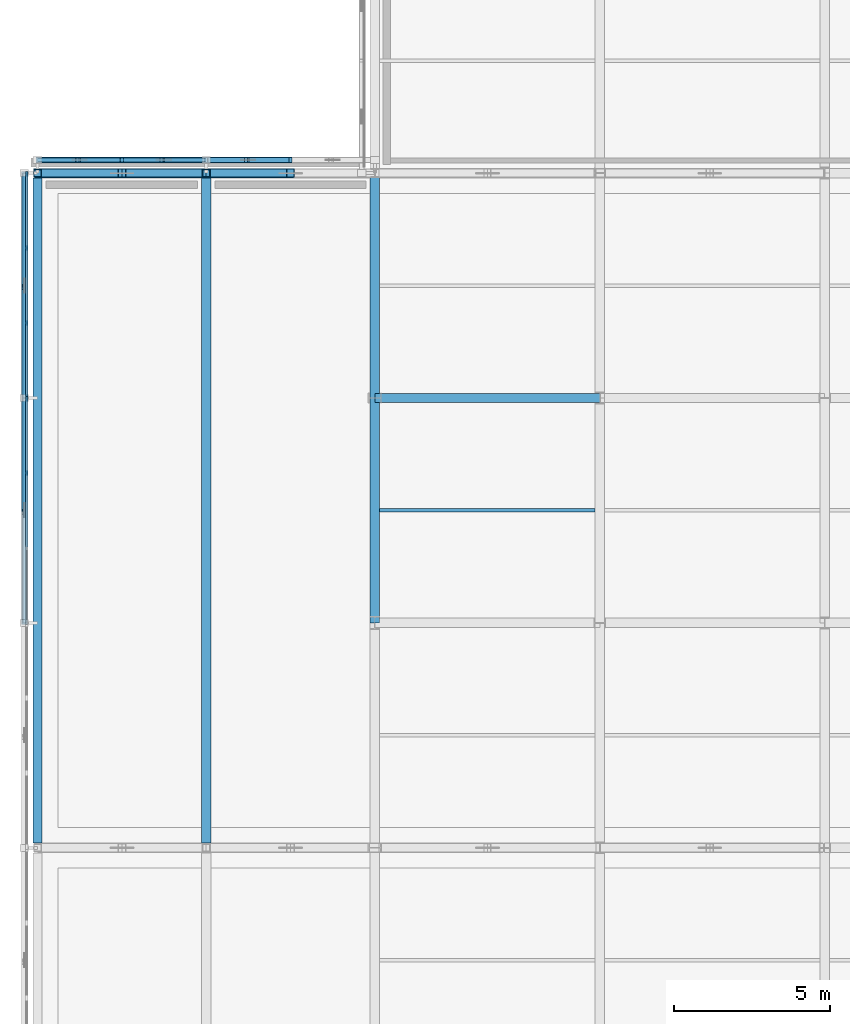
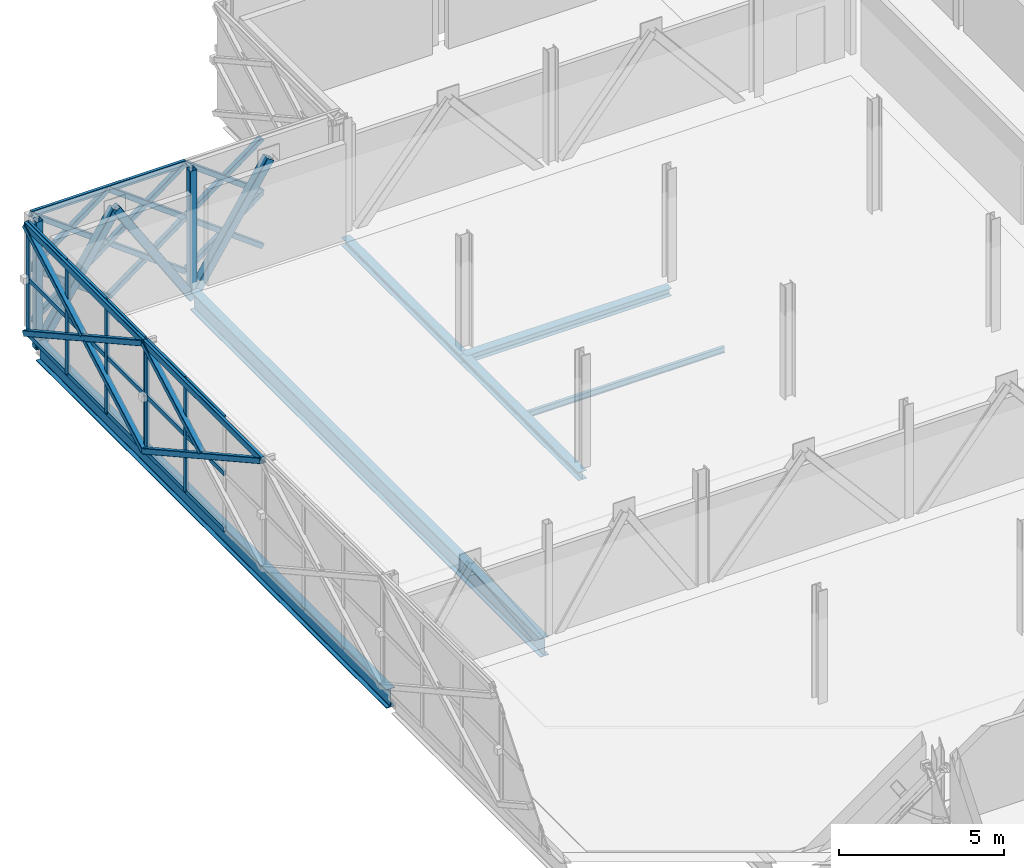
# One storey, part 45 of 103: 52 members, 6 beams, 2 elements without a shape of their own.
"""IFC4 building model written with IfcOpenShell, lengths in metres."""

import ifcopenshell
import ifcopenshell.guid

model = None  # the IFC model being written
_history = None  # IfcOwnerHistory: only IFC2X3 demands one
_inside = {}  # id of a spatial element -> (the spatial element, [elements in it])
_under = {}  # id of a project, library or spatial element -> (it, [spatial elements below it])
_declared = {}  # id of a project -> (the project, [libraries it declares])
_typed = {}  # id of a type object -> (the type object, [elements of that type])
_made_of = {}  # id of a material, layer set ... -> (it, [elements and type objects made of it])


def new_model(schema):
    """Start an empty IFC model of exactly this schema.

    Asked for "IFC4X3", IfcOpenShell would pick the latest addendum, in which some entities
    have other attributes; the version numbers below select the first issue.
    IFC2X3 requires an IfcOwnerHistory on every rooted entity: one is made here for all.
    """
    global model, _history
    if schema == "IFC4X3":
        model = ifcopenshell.file(schema_version=(4, 3, 0, 0))
    else:
        model = ifcopenshell.file(schema=schema)
    _inside.clear()
    _under.clear()
    _declared.clear()
    _typed.clear()
    _made_of.clear()
    _history = None
    if model.schema == "IFC2X3":
        org = make("IfcOrganization", Name="unknown")
        user = make(
            "IfcPersonAndOrganization",
            ThePerson=make("IfcPerson", FamilyName="unknown"),
            TheOrganization=org,
        )
        app = make(
            "IfcApplication",
            ApplicationDeveloper=org,
            Version="unknown",
            ApplicationFullName="unknown",
            ApplicationIdentifier="unknown",
        )
        _history = make(
            "IfcOwnerHistory",
            OwningUser=user,
            OwningApplication=app,
            ChangeAction="ADDED",
            CreationDate=0,
        )
    return model


def make(cls, **values):
    """One entity of the class cls with the attributes given. An attribute that is None is left unset."""
    return model.create_entity(
        cls, **{name: value for name, value in values.items() if value is not None}
    )


def rooted(cls, **values):
    """An entity with a GlobalId (a new one), such as an element, a storey or a relation."""
    return make(cls, GlobalId=ifcopenshell.guid.new(), OwnerHistory=_history, **values)


def si_unit(unit_type, name, prefix=None):
    """IfcSIUnit, for example si_unit("LENGTHUNIT", "METRE", prefix="MILLI")."""
    return make("IfcSIUnit", UnitType=unit_type, Prefix=prefix, Name=name)


def assignment(units):
    """IfcUnitAssignment: the units of a project."""
    return None if units is None else make("IfcUnitAssignment", Units=units)


def point(xyz):
    """IfcCartesianPoint."""
    return None if xyz is None else make("IfcCartesianPoint", Coordinates=xyz)


def direction(xyz):
    """IfcDirection."""
    return None if xyz is None else make("IfcDirection", DirectionRatios=xyz)


def frame(location, z_axis=None, x_axis=None):
    """IfcAxis2Placement3D, a coordinate frame: its origin and axes. An axis left out is left unset."""
    return make(
        "IfcAxis2Placement3D",
        Location=point(location),
        Axis=direction(z_axis),
        RefDirection=direction(x_axis),
    )


def frame_2d(location, x_axis=None):
    """IfcAxis2Placement2D, a coordinate frame in the plane: its origin and x axis."""
    return make(
        "IfcAxis2Placement2D", Location=point(location), RefDirection=direction(x_axis)
    )


def origin():
    """The frame at (0, 0, 0) with its axes left unset."""
    return frame((0.0, 0.0, 0.0))


def origin_2d():
    """The frame at (0, 0) in the plane with its x axis left unset."""
    return frame_2d((0.0, 0.0))


def place(relative_to, where):
    """IfcLocalPlacement: puts the frame where relative to a parent placement (None: the world)."""
    return make(
        "IfcLocalPlacement", PlacementRelTo=relative_to, RelativePlacement=where
    )


def context(
    kind, dimensions, precision=None, world=None, true_north=None, identifier=None
):
    """IfcGeometricRepresentationContext, for example the 3D "Model" context."""
    return make(
        "IfcGeometricRepresentationContext",
        ContextIdentifier=identifier,
        ContextType=kind,
        CoordinateSpaceDimension=dimensions,
        Precision=precision,
        WorldCoordinateSystem=world,
        TrueNorth=true_north,
    )


def subcontext(parent, identifier, kind, view, scale=None):
    """IfcGeometricRepresentationSubContext, for example "Body" below "Model"."""
    return make(
        "IfcGeometricRepresentationSubContext",
        ContextIdentifier=identifier,
        ContextType=kind,
        ParentContext=parent,
        TargetScale=scale,
        TargetView=view,
    )


def project(units=None, contexts=None):
    """IfcProject with its units and contexts."""
    return rooted(
        "IfcProject",
        Name="project",
        RepresentationContexts=contexts,
        UnitsInContext=assignment(units),
    )


def spatial(cls, under=None, at=None, **own):
    """A site, building, storey or space (cls), placed at a placement, below another one or the project."""
    s = rooted(cls, ObjectPlacement=at, **own)
    if under is not None:
        _under.setdefault(under.id(), (under, []))[1].append(s)
    return s


def profile(cls, at=None, kind="AREA", **sizes):
    """A parametric profile (cls). Its sizes go by their IFC names, for example OverallWidth=200.0."""
    return make(cls, ProfileType=kind, Position=at, **sizes)


def rectangle(**sizes):
    """IfcRectangleProfileDef."""
    return profile("IfcRectangleProfileDef", **sizes)


def hollow_rectangle(**sizes):
    """IfcRectangleHollowProfileDef."""
    return profile("IfcRectangleHollowProfileDef", **sizes)


def i_section(**sizes):
    """IfcIShapeProfileDef."""
    return profile("IfcIShapeProfileDef", **sizes)


def extrude(swept, where, along, depth):
    """IfcExtrudedAreaSolid: the profile swept, set in the frame where, extruded along a direction by depth."""
    return make(
        "IfcExtrudedAreaSolid",
        SweptArea=swept,
        Position=where,
        ExtrudedDirection=direction(along),
        Depth=depth,
    )


def shape(context_of_items, identifier, shape_type, items):
    """IfcShapeRepresentation: the items that make up one representation, for example the "Body"."""
    return make(
        "IfcShapeRepresentation",
        ContextOfItems=context_of_items,
        RepresentationIdentifier=identifier,
        RepresentationType=shape_type,
        Items=items,
    )


def material(Name=None, Category=None):
    """IfcMaterial."""
    return make("IfcMaterial", Name=Name, Category=Category)


def material_profile(
    of_material, cross_section, Name=None, Category=None, Priority=None
):
    """IfcMaterialProfile: a cross section and its material."""
    return make(
        "IfcMaterialProfile",
        Name=Name,
        Material=of_material,
        Profile=cross_section,
        Priority=Priority,
        Category=Category,
    )


def profile_set(profiles, Name=None, composite=None):
    """IfcMaterialProfileSet."""
    return make(
        "IfcMaterialProfileSet",
        Name=Name,
        MaterialProfiles=profiles,
        CompositeProfile=composite,
    )


def made_of(thing, what):
    """Note that an element or type object is made of a material, layer set ...; save() writes the relation."""
    if what is not None:
        _made_of.setdefault(what.id(), (what, []))[1].append(thing)
    return thing


def type_object(cls, material=None, **own):
    """A type object (cls), such as IfcWallType, which elements share."""
    return made_of(rooted(cls, **own), material)


def element(
    cls,
    number,
    at=None,
    inside=None,
    cuts=None,
    type_object=None,
    material=None,
    context=None,
    identifier="Body",
    shape_type=None,
    held_by="IfcProductDefinitionShape",
    body=None,
    shapes=None,
    **own,
):
    """One element of the class cls, such as IfcWall. Its Tag is "e" and its number.

    at: its placement. inside: the storey or other place that contains it. cuts: it is an
    opening in that element (IfcRelVoidsElement). A single representation is given by context,
    identifier, shape_type and body (its items); several are given by shapes. held_by: the class
    of the entity that holds the representations. save() writes the other relations.
    """
    e = rooted(cls, Tag="e%d" % number, ObjectPlacement=at, **own)
    if body is not None:
        shapes = [shape(context, identifier, shape_type, body)]
    if shapes is not None:
        e.Representation = make(held_by, Representations=shapes)
    if inside is not None:
        _inside.setdefault(inside.id(), (inside, []))[1].append(e)
    if cuts is not None:
        rooted(
            "IfcRelVoidsElement", RelatingBuildingElement=cuts, RelatedOpeningElement=e
        )
    if type_object is not None:
        _typed.setdefault(type_object.id(), (type_object, []))[1].append(e)
    return made_of(e, material)


def aggregate(whole, parts):
    """IfcRelAggregates: a whole, such as a stair, and the parts it consists of."""
    return rooted("IfcRelAggregates", RelatingObject=whole, RelatedObjects=parts)


def save(model, path):
    """Write the relations noted so far, then the file.

    IfcRelAggregates (storeys below a building ...), IfcRelContainedInSpatialStructure (elements
    in a storey), IfcRelDefinesByType, IfcRelAssociatesMaterial and IfcRelDeclares: one each for
    every whole, place, type object, material and project.
    """
    for whole, parts in _under.values():
        aggregate(whole, parts)
    for where, things in _inside.values():
        rooted(
            "IfcRelContainedInSpatialStructure",
            RelatedElements=things,
            RelatingStructure=where,
        )
    for kind, things in _typed.values():
        rooted("IfcRelDefinesByType", RelatedObjects=things, RelatingType=kind)
    for what, things in _made_of.values():
        rooted("IfcRelAssociatesMaterial", RelatedObjects=things, RelatingMaterial=what)
    for by, libraries in _declared.values():
        rooted("IfcRelDeclares", RelatingContext=by, RelatedDefinitions=libraries)
    model.write(path)


model = new_model("IFC4")

# Units and contexts
model_context = context("Model", 3, precision=1e-05, world=origin(), true_north=direction((0.0, 1.0)))
body_context = subcontext(model_context, "Body", "Model", "MODEL_VIEW")
ifc_project = project(units=[si_unit("LENGTHUNIT", "METRE"), si_unit("AREAUNIT", "SQUARE_METRE"), si_unit("VOLUMEUNIT", "CUBIC_METRE"), si_unit("PLANEANGLEUNIT", "RADIAN"), si_unit("MASSUNIT", "GRAM", prefix="KILO")], contexts=[model_context])

# Site, building, storey
site_placement = place(None, origin())
site = spatial("IfcSite", under=ifc_project, at=site_placement, CompositionType="ELEMENT")
building_placement = place(site_placement, origin())
building = spatial("IfcBuilding", under=site, at=building_placement, Name="Zlatovets Crest Museum", CompositionType="ELEMENT")
storey_placement = place(building_placement, frame((0.0, 0.0, 12.89990234375)))
storey = spatial("IfcBuildingStorey", under=building, at=storey_placement, Name="L03", CompositionType="ELEMENT", Elevation=12.89990234375)

# Beams
ifc_material_1 = material(Name="Structural steel S355J2", Category="steel")
ifc_material_profile_1 = material_profile(ifc_material_1, i_section(OverallWidth=0.300048828125, OverallDepth=0.31005859375, WebThickness=0.009033203125, FlangeThickness=0.015380859375, FilletRadius=0.027099609375, at=origin_2d()), Name="HEA 320")
ifc_profile_set_1 = profile_set([ifc_material_profile_1], Name="Structural steel S355J2")
beam_type_1 = type_object("IfcBeamType", Name="Beam_B-04", PredefinedType="BEAM", material=ifc_profile_set_1)
beam_1_placement = place(storey_placement, frame((7.199951171875, 79.199951171875, -0.39501953125), z_axis=(0.0, 1.0, 0.0), x_axis=(-1.0, 0.0, 0.0)))
element("IfcBeam", 1, at=beam_1_placement, inside=storey, type_object=beam_type_1, Name="V4 L03 Grid Beam B-04", PredefinedType="BEAM", context=body_context, shape_type="SweptSolid", body=[
    extrude(i_section(OverallWidth=0.300048828125, OverallDepth=0.31005859375, WebThickness=0.009033203125, FlangeThickness=0.015380859375, FilletRadius=0.027099609375, at=origin_2d()), origin(), (0.0, 0.0, 1.0), 7.199951171875),
])
beam_2_placement = place(storey_placement, frame((7.199951171875, 86.39990234375, -0.39501953125), z_axis=(0.0, 1.0, 0.0), x_axis=(-1.0, 0.0, 0.0)))
element("IfcBeam", 2, at=beam_2_placement, inside=storey, type_object=beam_type_1, Name="V4 L03 Grid Beam B-04", PredefinedType="BEAM", context=body_context, shape_type="SweptSolid", body=[
    extrude(i_section(OverallWidth=0.300048828125, OverallDepth=0.31005859375, WebThickness=0.009033203125, FlangeThickness=0.015380859375, FilletRadius=0.027099609375, at=origin_2d()), origin(), (0.0, 0.0, 1.0), 7.2001953125),
])
ifc_material_profile_2 = material_profile(ifc_material_1, i_section(OverallWidth=0.300048828125, OverallDepth=0.699951171875, WebThickness=0.01708984375, FlangeThickness=0.031982421875, FilletRadius=0.027099609375, at=origin_2d()), Name="HEB 700")
ifc_profile_set_2 = profile_set([ifc_material_profile_2], Name="Structural steel S355J2")
beam_type_2 = type_object("IfcBeamType", Name="Beam_B-08", PredefinedType="BEAM", material=ifc_profile_set_2)
for number, where, z_axis, x_axis, name in (
    (3, (-3.60009765625, 72.159912109375, -0.58984375), (0.0, 1.0, 0.0), (-1.0, 0.0, 0.0), "Cantilever Gallery L03 Floor Beam B-08"),
    (4, (1.800048828125, 72.159912109375, -0.58984375), (0.0, 1.0, 0.0), (-1.0, 0.0, 0.0), "Cantilever Gallery L03 Floor Beam B-08"),
):
    element("IfcBeam", number, at=place(storey_placement, frame(where, z_axis=z_axis, x_axis=x_axis)), inside=storey, type_object=beam_type_2, Name=name, PredefinedType="BEAM", context=body_context, shape_type="SweptSolid", body=[
        extrude(i_section(OverallWidth=0.300048828125, OverallDepth=0.699951171875, WebThickness=0.01708984375, FlangeThickness=0.031982421875, FilletRadius=0.027099609375, at=origin_2d()), origin(), (0.0, 0.0, 1.0), 21.280029296875),
    ])
ifc_material_profile_3 = material_profile(ifc_material_1, i_section(OverallWidth=0.300048828125, OverallDepth=0.2900390625, WebThickness=0.008544921875, FlangeThickness=0.013916015625, FilletRadius=0.027099609375, at=origin_2d()), Name="HEA 300")
ifc_profile_set_3 = profile_set([ifc_material_profile_3], Name="Structural steel S355J2")
beam_type_3 = type_object("IfcBeamType", Name="Beam_B-12", PredefinedType="BEAM", material=ifc_profile_set_3)
beam_3_placement = place(storey_placement, frame((7.199951171875, 86.39990234375, -0.385009765625), z_axis=(1.0, 0.0, 0.0), x_axis=(0.0, 1.0, 0.0)))
element("IfcBeam", 5, at=beam_3_placement, inside=storey, type_object=beam_type_3, Name="V4 L03 Primary Girder B-12", PredefinedType="BEAM", context=body_context, shape_type="SweptSolid", body=[
    extrude(i_section(OverallWidth=0.300048828125, OverallDepth=0.2900390625, WebThickness=0.008544921875, FlangeThickness=0.013916015625, FilletRadius=0.027099609375, at=origin_2d()), origin(), (0.0, 0.0, 1.0), 7.199951171875),
])
ifc_material_profile_4 = material_profile(ifc_material_1, i_section(OverallWidth=0.110107421875, OverallDepth=0.219970703125, WebThickness=0.005859375, FlangeThickness=0.00927734375, FilletRadius=0.011962890625, at=origin_2d()), Name="IPE 220")
ifc_profile_set_4 = profile_set([ifc_material_profile_4], Name="Structural steel S355J2")
beam_type_4 = type_object("IfcBeamType", Name="Beam_J-10", PredefinedType="JOIST", material=ifc_profile_set_4)
beam_4_placement = place(storey_placement, frame((7.35009765625, 82.800048828125, -0.349853515625), z_axis=(1.0, 0.0, 0.0), x_axis=(0.0, 1.0, 0.0)))
element("IfcBeam", 6, at=beam_4_placement, inside=storey, type_object=beam_type_4, Name="V4 L03 Composite Joist J-10", PredefinedType="JOIST", context=body_context, shape_type="SweptSolid", body=[
    extrude(i_section(OverallWidth=0.110107421875, OverallDepth=0.219970703125, WebThickness=0.005859375, FlangeThickness=0.00927734375, FilletRadius=0.011962890625, at=origin_2d()), origin(), (0.0, 0.0, 1.0), 6.89990234375),
])

# Curtain wall, members
ifc_material_2 = material(Name="Bronze-anodised aluminium and low-E triple glass", Category="aluminium")
curtain_wall_type_1 = type_object("IfcCurtainWallType", Name="CW_CW-V4-L03-M2", PredefinedType="NOTDEFINED", material=ifc_material_2)
curtain_wall_1_placement = place(storey_placement, origin())
curtain_wall_1 = element("IfcCurtainWall", 7, at=curtain_wall_1_placement, inside=storey, type_object=curtain_wall_type_1, Name="V4 L03 Secession Foyer Clear Curtain Wall", PredefinedType="NOTDEFINED")
ifc_material_3 = material(Name="Bronze-anodised aluminium EN AW-6060", Category="aluminium")
ifc_material_profile_5 = material_profile(ifc_material_3, rectangle(XDim=0.080078125, YDim=0.159912109375, at=origin_2d()), Name="ALU 80x160")
ifc_profile_set_5 = profile_set([ifc_material_profile_5], Name="Bronze-anodised aluminium EN AW-6060")
member_type_1 = type_object("IfcMemberType", Name="CWMull_M1", PredefinedType="MULLION", material=ifc_profile_set_5)
member_1_placement = place(storey_placement, frame((-3.93994140625, 93.570068359375, 0.0), z_axis=(0.0, 0.0, 1.0), x_axis=(1.0, 0.0, 0.0)))
member_1 = element("IfcMember", 8, at=member_1_placement, type_object=member_type_1, Name="CW-V4-L03-M2 mullion 1", PredefinedType="MULLION", context=body_context, shape_type="SweptSolid", body=[
    extrude(rectangle(XDim=0.080078125, YDim=0.159912109375, at=origin_2d()), origin(), (0.0, 0.0, 1.0), 4.2001953125),
])
member_2_placement = place(storey_placement, frame((-3.93994140625, 91.199951171875, 0.0), z_axis=(0.0, 0.0, 1.0), x_axis=(1.0, 0.0, 0.0)))
member_2 = element("IfcMember", 9, at=member_2_placement, type_object=member_type_1, Name="CW-V4-L03-M2 mullion 2", PredefinedType="MULLION", context=body_context, shape_type="SweptSolid", body=[
    extrude(rectangle(XDim=0.080078125, YDim=0.159912109375, at=origin_2d()), origin(), (0.0, 0.0, 1.0), 4.2001953125),
])
member_3_placement = place(storey_placement, frame((-3.93994140625, 88.800048828125, 0.0), z_axis=(0.0, 0.0, 1.0), x_axis=(1.0, 0.0, 0.0)))
member_3 = element("IfcMember", 10, at=member_3_placement, type_object=member_type_1, Name="CW-V4-L03-M2 mullion 3", PredefinedType="MULLION", context=body_context, shape_type="SweptSolid", body=[
    extrude(rectangle(XDim=0.080078125, YDim=0.159912109375, at=origin_2d()), origin(), (0.0, 0.0, 1.0), 4.2001953125),
])
member_4_placement = place(storey_placement, frame((-3.93994140625, 86.429931640625, 0.0), z_axis=(0.0, 0.0, 1.0), x_axis=(1.0, 0.0, 0.0)))
member_4 = element("IfcMember", 11, at=member_4_placement, type_object=member_type_1, Name="CW-V4-L03-M2 mullion 4", PredefinedType="MULLION", context=body_context, shape_type="SweptSolid", body=[
    extrude(rectangle(XDim=0.080078125, YDim=0.159912109375, at=origin_2d()), origin(), (0.0, 0.0, 1.0), 4.2001953125),
])

curtain_wall_type_2 = type_object("IfcCurtainWallType", Name="CW_CW-V4-L03-M3", PredefinedType="NOTDEFINED", material=ifc_material_2)
curtain_wall_2_placement = place(storey_placement, origin())
curtain_wall_2 = element("IfcCurtainWall", 12, at=curtain_wall_2_placement, inside=storey, type_object=curtain_wall_type_2, Name="V4 L03 Secession Foyer Clear Curtain Wall", PredefinedType="NOTDEFINED")
member_5_placement = place(storey_placement, frame((-3.93994140625, 86.3701171875, 0.0), z_axis=(0.0, 0.0, 1.0), x_axis=(1.0, 0.0, 0.0)))
member_5 = element("IfcMember", 13, at=member_5_placement, type_object=member_type_1, Name="CW-V4-L03-M3 mullion 1", PredefinedType="MULLION", context=body_context, shape_type="SweptSolid", body=[
    extrude(rectangle(XDim=0.080078125, YDim=0.159912109375, at=origin_2d()), origin(), (0.0, 0.0, 1.0), 4.2001953125),
])
member_6_placement = place(storey_placement, frame((-3.93994140625, 84.0, 0.0), z_axis=(0.0, 0.0, 1.0), x_axis=(1.0, 0.0, 0.0)))
member_6 = element("IfcMember", 14, at=member_6_placement, type_object=member_type_1, Name="CW-V4-L03-M3 mullion 2", PredefinedType="MULLION", context=body_context, shape_type="SweptSolid", body=[
    extrude(rectangle(XDim=0.080078125, YDim=0.159912109375, at=origin_2d()), origin(), (0.0, 0.0, 1.0), 4.2001953125),
])

# Member
ifc_material_profile_6 = material_profile(ifc_material_3, rectangle(XDim=0.080078125, YDim=0.159912109375, at=origin_2d()), Name="ALU 80x160")
ifc_profile_set_6 = profile_set([ifc_material_profile_6], Name="Bronze-anodised aluminium EN AW-6060")
member_type_2 = type_object("IfcMemberType", Name="CWTrans_T1", PredefinedType="USERDEFINED", material=ifc_profile_set_6)
member_7_placement = place(storey_placement, frame((-3.93994140625, 93.5400390625, 0.030029296875), z_axis=(0.0, -1.0, 0.0), x_axis=(1.0, 0.0, 0.0)))
member_7 = element("IfcMember", 15, at=member_7_placement, type_object=member_type_2, Name="CW-V4-L03-M2 transom 1.1", ObjectType="TRANSOM", PredefinedType="USERDEFINED", context=body_context, shape_type="SweptSolid", body=[
    extrude(rectangle(XDim=0.080078125, YDim=0.159912109375, at=origin_2d()), origin(), (0.0, 0.0, 1.0), 2.31005859375),
])

member_8_placement = place(storey_placement, frame((-3.93994140625, 93.5400390625, 2.10009765625), z_axis=(0.0, -1.0, 0.0), x_axis=(1.0, 0.0, 0.0)))
member_8 = element("IfcMember", 16, at=member_8_placement, type_object=member_type_2, Name="CW-V4-L03-M2 transom 1.2", ObjectType="TRANSOM", PredefinedType="USERDEFINED", context=body_context, shape_type="SweptSolid", body=[
    extrude(rectangle(XDim=0.080078125, YDim=0.159912109375, at=origin_2d()), origin(), (0.0, 0.0, 1.0), 2.31005859375),
])

member_9_placement = place(storey_placement, frame((-3.93994140625, 93.5400390625, 4.170166015625), z_axis=(0.0, -1.0, 0.0), x_axis=(1.0, 0.0, 0.0)))
member_9 = element("IfcMember", 17, at=member_9_placement, type_object=member_type_2, Name="CW-V4-L03-M2 transom 1.3", ObjectType="TRANSOM", PredefinedType="USERDEFINED", context=body_context, shape_type="SweptSolid", body=[
    extrude(rectangle(XDim=0.080078125, YDim=0.159912109375, at=origin_2d()), origin(), (0.0, 0.0, 1.0), 2.31005859375),
])

member_10_placement = place(storey_placement, frame((-3.93994140625, 91.169921875, 0.030029296875), z_axis=(0.0, -1.0, 0.0), x_axis=(1.0, 0.0, 0.0)))
member_10 = element("IfcMember", 18, at=member_10_placement, type_object=member_type_2, Name="CW-V4-L03-M2 transom 2.1", ObjectType="TRANSOM", PredefinedType="USERDEFINED", context=body_context, shape_type="SweptSolid", body=[
    extrude(rectangle(XDim=0.080078125, YDim=0.159912109375, at=origin_2d()), origin(), (0.0, 0.0, 1.0), 2.33984375),
])

member_11_placement = place(storey_placement, frame((-3.93994140625, 91.169921875, 2.10009765625), z_axis=(0.0, -1.0, 0.0), x_axis=(1.0, 0.0, 0.0)))
member_11 = element("IfcMember", 19, at=member_11_placement, type_object=member_type_2, Name="CW-V4-L03-M2 transom 2.2", ObjectType="TRANSOM", PredefinedType="USERDEFINED", context=body_context, shape_type="SweptSolid", body=[
    extrude(rectangle(XDim=0.080078125, YDim=0.159912109375, at=origin_2d()), origin(), (0.0, 0.0, 1.0), 2.33984375),
])

member_12_placement = place(storey_placement, frame((-3.93994140625, 91.169921875, 4.170166015625), z_axis=(0.0, -1.0, 0.0), x_axis=(1.0, 0.0, 0.0)))
member_12 = element("IfcMember", 20, at=member_12_placement, type_object=member_type_2, Name="CW-V4-L03-M2 transom 2.3", ObjectType="TRANSOM", PredefinedType="USERDEFINED", context=body_context, shape_type="SweptSolid", body=[
    extrude(rectangle(XDim=0.080078125, YDim=0.159912109375, at=origin_2d()), origin(), (0.0, 0.0, 1.0), 2.33984375),
])

member_13_placement = place(storey_placement, frame((-3.93994140625, 88.77001953125, 0.030029296875), z_axis=(0.0, -1.0, 0.0), x_axis=(1.0, 0.0, 0.0)))
member_13 = element("IfcMember", 21, at=member_13_placement, type_object=member_type_2, Name="CW-V4-L03-M2 transom 3.1", ObjectType="TRANSOM", PredefinedType="USERDEFINED", context=body_context, shape_type="SweptSolid", body=[
    extrude(rectangle(XDim=0.080078125, YDim=0.159912109375, at=origin_2d()), origin(), (0.0, 0.0, 1.0), 2.31005859375),
])

member_14_placement = place(storey_placement, frame((-3.93994140625, 88.77001953125, 2.10009765625), z_axis=(0.0, -1.0, 0.0), x_axis=(1.0, 0.0, 0.0)))
member_14 = element("IfcMember", 22, at=member_14_placement, type_object=member_type_2, Name="CW-V4-L03-M2 transom 3.2", ObjectType="TRANSOM", PredefinedType="USERDEFINED", context=body_context, shape_type="SweptSolid", body=[
    extrude(rectangle(XDim=0.080078125, YDim=0.159912109375, at=origin_2d()), origin(), (0.0, 0.0, 1.0), 2.31005859375),
])

member_15_placement = place(storey_placement, frame((-3.93994140625, 88.77001953125, 4.170166015625), z_axis=(0.0, -1.0, 0.0), x_axis=(1.0, 0.0, 0.0)))
member_15 = element("IfcMember", 23, at=member_15_placement, type_object=member_type_2, Name="CW-V4-L03-M2 transom 3.3", ObjectType="TRANSOM", PredefinedType="USERDEFINED", context=body_context, shape_type="SweptSolid", body=[
    extrude(rectangle(XDim=0.080078125, YDim=0.159912109375, at=origin_2d()), origin(), (0.0, 0.0, 1.0), 2.31005859375),
])

aggregate(curtain_wall_1, [member_1, member_2, member_3, member_4, member_7, member_8, member_9, member_10, member_11, member_12, member_13, member_14, member_15])

member_16_placement = place(storey_placement, frame((-3.93994140625, 86.340087890625, 0.030029296875), z_axis=(0.0, -1.0, 0.0), x_axis=(1.0, 0.0, 0.0)))
member_16 = element("IfcMember", 24, at=member_16_placement, type_object=member_type_2, Name="CW-V4-L03-M3 transom 1.1", ObjectType="TRANSOM", PredefinedType="USERDEFINED", context=body_context, shape_type="SweptSolid", body=[
    extrude(rectangle(XDim=0.080078125, YDim=0.159912109375, at=origin_2d()), origin(), (0.0, 0.0, 1.0), 2.31005859375),
])

member_17_placement = place(storey_placement, frame((-3.93994140625, 86.340087890625, 2.10009765625), z_axis=(0.0, -1.0, 0.0), x_axis=(1.0, 0.0, 0.0)))
member_17 = element("IfcMember", 25, at=member_17_placement, type_object=member_type_2, Name="CW-V4-L03-M3 transom 1.2", ObjectType="TRANSOM", PredefinedType="USERDEFINED", context=body_context, shape_type="SweptSolid", body=[
    extrude(rectangle(XDim=0.080078125, YDim=0.159912109375, at=origin_2d()), origin(), (0.0, 0.0, 1.0), 2.31005859375),
])

member_18_placement = place(storey_placement, frame((-3.93994140625, 86.340087890625, 4.170166015625), z_axis=(0.0, -1.0, 0.0), x_axis=(1.0, 0.0, 0.0)))
member_18 = element("IfcMember", 26, at=member_18_placement, type_object=member_type_2, Name="CW-V4-L03-M3 transom 1.3", ObjectType="TRANSOM", PredefinedType="USERDEFINED", context=body_context, shape_type="SweptSolid", body=[
    extrude(rectangle(XDim=0.080078125, YDim=0.159912109375, at=origin_2d()), origin(), (0.0, 0.0, 1.0), 2.31005859375),
])

member_19_placement = place(storey_placement, frame((-3.93994140625, 83.969970703125, 0.030029296875), z_axis=(0.0, -1.0, 0.0), x_axis=(1.0, 0.0, 0.0)))
member_19 = element("IfcMember", 27, at=member_19_placement, type_object=member_type_2, Name="CW-V4-L03-M3 transom 2.1", ObjectType="TRANSOM", PredefinedType="USERDEFINED", context=body_context, shape_type="SweptSolid", body=[
    extrude(rectangle(XDim=0.080078125, YDim=0.159912109375, at=origin_2d()), origin(), (0.0, 0.0, 1.0), 2.340087890625),
])

member_20_placement = place(storey_placement, frame((-3.93994140625, 83.969970703125, 2.10009765625), z_axis=(0.0, -1.0, 0.0), x_axis=(1.0, 0.0, 0.0)))
member_20 = element("IfcMember", 28, at=member_20_placement, type_object=member_type_2, Name="CW-V4-L03-M3 transom 2.2", ObjectType="TRANSOM", PredefinedType="USERDEFINED", context=body_context, shape_type="SweptSolid", body=[
    extrude(rectangle(XDim=0.080078125, YDim=0.159912109375, at=origin_2d()), origin(), (0.0, 0.0, 1.0), 2.340087890625),
])

member_21_placement = place(storey_placement, frame((-3.93994140625, 83.969970703125, 4.170166015625), z_axis=(0.0, -1.0, 0.0), x_axis=(1.0, 0.0, 0.0)))
member_21 = element("IfcMember", 29, at=member_21_placement, type_object=member_type_2, Name="CW-V4-L03-M3 transom 2.3", ObjectType="TRANSOM", PredefinedType="USERDEFINED", context=body_context, shape_type="SweptSolid", body=[
    extrude(rectangle(XDim=0.080078125, YDim=0.159912109375, at=origin_2d()), origin(), (0.0, 0.0, 1.0), 2.340087890625),
])

aggregate(curtain_wall_2, [member_5, member_6, member_16, member_17, member_18, member_19, member_20, member_21])

# Members
ifc_material_4 = material(Name="Weathering bronze-steel S355J2W", Category="steel")
ifc_material_profile_7 = material_profile(ifc_material_4, hollow_rectangle(XDim=0.179931640625, YDim=0.179931640625, WallThickness=0.010009765625, InnerFilletRadius=0.010009765625, OuterFilletRadius=0.02001953125, at=origin_2d()), Name="SHS 180x180x10.0")
ifc_profile_set_7 = profile_set([ifc_material_profile_7], Name="Weathering bronze-steel S355J2W")
member_type_3 = type_object("IfcMemberType", Name="Lattice_XL-01", PredefinedType="BRACE", material=ifc_profile_set_7)
member_22_placement = place(storey_placement, frame((4.5, 94.02001953125, 0.10009765625), z_axis=(-0.803552044655, 0.0, 0.595234501294), x_axis=(0.0, -1.0, 0.0)))
element("IfcMember", 30, at=member_22_placement, inside=storey, type_object=member_type_3, Name="Continuous Bronze Lattice Diagonal", PredefinedType="BRACE", context=body_context, shape_type="SweptSolid", body=[
    extrude(hollow_rectangle(XDim=0.179931640625, YDim=0.179931640625, WallThickness=0.010009765625, InnerFilletRadius=0.010009765625, OuterFilletRadius=0.02001953125, at=origin_2d()), origin(), (0.0, 0.0, 1.0), 3.360107421875),
])
for number, where, z_axis, x_axis, name in (
    (31, (4.5, 94.02001953125, 2.10009765625), (-0.803516265271, 0.0, -0.595282799554), (0.0, -1.0, 0.0), "Split Crossing Bronze Lattice Diagonal Upper"),
    (32, (3.07373046875, 94.02001953125, 1.043701171875), (-0.803516265271, 0.0, -0.595282799554), (0.0, -1.0, 0.0), "Split Crossing Bronze Lattice Diagonal Lower"),
):
    element("IfcMember", number, at=place(storey_placement, frame(where, z_axis=z_axis, x_axis=x_axis)), inside=storey, type_object=member_type_3, Name=name, PredefinedType="BRACE", context=body_context, shape_type="SweptSolid", body=[
        extrude(hollow_rectangle(XDim=0.179931640625, YDim=0.179931640625, WallThickness=0.010009765625, InnerFilletRadius=0.010009765625, OuterFilletRadius=0.02001953125, at=origin_2d()), origin(), (0.0, 0.0, 1.0), 1.585205078125),
    ])
member_23_placement = place(storey_placement, frame((4.5, 94.02001953125, 2.10009765625), z_axis=(-0.803552044655, 0.0, 0.595234501294), x_axis=(0.0, -1.0, 0.0)))
element("IfcMember", 33, at=member_23_placement, inside=storey, type_object=member_type_3, Name="Continuous Bronze Lattice Diagonal", PredefinedType="BRACE", context=body_context, shape_type="SweptSolid", body=[
    extrude(hollow_rectangle(XDim=0.179931640625, YDim=0.179931640625, WallThickness=0.010009765625, InnerFilletRadius=0.010009765625, OuterFilletRadius=0.02001953125, at=origin_2d()), origin(), (0.0, 0.0, 1.0), 3.360107421875),
])
for number, where, z_axis, x_axis, name in (
    (34, (4.5, 94.02001953125, 4.10009765625), (-0.803516265271, 0.0, -0.595282799554), (0.0, -1.0, 0.0), "Split Crossing Bronze Lattice Diagonal Upper"),
    (35, (3.07373046875, 94.02001953125, 3.043701171875), (-0.803516265271, 0.0, -0.595282799554), (0.0, -1.0, 0.0), "Split Crossing Bronze Lattice Diagonal Lower"),
):
    element("IfcMember", number, at=place(storey_placement, frame(where, z_axis=z_axis, x_axis=x_axis)), inside=storey, type_object=member_type_3, Name=name, PredefinedType="BRACE", context=body_context, shape_type="SweptSolid", body=[
        extrude(hollow_rectangle(XDim=0.179931640625, YDim=0.179931640625, WallThickness=0.010009765625, InnerFilletRadius=0.010009765625, OuterFilletRadius=0.02001953125, at=origin_2d()), origin(), (0.0, 0.0, 1.0), 1.585205078125),
    ])
member_24_placement = place(storey_placement, frame((1.800048828125, 94.02001953125, 0.10009765625), z_axis=(-0.803552044655, 0.0, 0.595234501294), x_axis=(0.0, -1.0, 0.0)))
element("IfcMember", 36, at=member_24_placement, inside=storey, type_object=member_type_3, Name="Continuous Bronze Lattice Diagonal", PredefinedType="BRACE", context=body_context, shape_type="SweptSolid", body=[
    extrude(hollow_rectangle(XDim=0.179931640625, YDim=0.179931640625, WallThickness=0.010009765625, InnerFilletRadius=0.010009765625, OuterFilletRadius=0.02001953125, at=origin_2d()), origin(), (0.0, 0.0, 1.0), 3.360107421875),
])
for number, where, z_axis, x_axis, name in (
    (37, (1.800048828125, 94.02001953125, 2.10009765625), (-0.803516265271, 0.0, -0.595282799554), (0.0, -1.0, 0.0), "Split Crossing Bronze Lattice Diagonal Upper"),
    (38, (0.373779296875, 94.02001953125, 1.043701171875), (-0.803516265271, 0.0, -0.595282799554), (0.0, -1.0, 0.0), "Split Crossing Bronze Lattice Diagonal Lower"),
):
    element("IfcMember", number, at=place(storey_placement, frame(where, z_axis=z_axis, x_axis=x_axis)), inside=storey, type_object=member_type_3, Name=name, PredefinedType="BRACE", context=body_context, shape_type="SweptSolid", body=[
        extrude(hollow_rectangle(XDim=0.179931640625, YDim=0.179931640625, WallThickness=0.010009765625, InnerFilletRadius=0.010009765625, OuterFilletRadius=0.02001953125, at=origin_2d()), origin(), (0.0, 0.0, 1.0), 1.585205078125),
    ])
member_25_placement = place(storey_placement, frame((-0.89990234375, 94.02001953125, 0.10009765625), z_axis=(-0.803577786301, 0.0, 0.59519974913), x_axis=(0.0, -1.0, 0.0)))
element("IfcMember", 39, at=member_25_placement, inside=storey, type_object=member_type_3, Name="Continuous Bronze Lattice Diagonal", PredefinedType="BRACE", context=body_context, shape_type="SweptSolid", body=[
    extrude(hollow_rectangle(XDim=0.179931640625, YDim=0.179931640625, WallThickness=0.010009765625, InnerFilletRadius=0.010009765625, OuterFilletRadius=0.02001953125, at=origin_2d()), origin(), (0.0, 0.0, 1.0), 3.360107421875),
])
for number, where, z_axis, x_axis, name in (
    (40, (-0.89990234375, 94.02001953125, 2.10009765625), (-0.803516265271, 0.0, -0.595282799554), (0.0, -1.0, 0.0), "Split Crossing Bronze Lattice Diagonal Upper"),
    (41, (-2.326416015625, 94.02001953125, 1.043701171875), (-0.803516265271, 0.0, -0.595282799554), (0.0, -1.0, 0.0), "Split Crossing Bronze Lattice Diagonal Lower"),
):
    element("IfcMember", number, at=place(storey_placement, frame(where, z_axis=z_axis, x_axis=x_axis)), inside=storey, type_object=member_type_3, Name=name, PredefinedType="BRACE", context=body_context, shape_type="SweptSolid", body=[
        extrude(hollow_rectangle(XDim=0.179931640625, YDim=0.179931640625, WallThickness=0.010009765625, InnerFilletRadius=0.010009765625, OuterFilletRadius=0.02001953125, at=origin_2d()), origin(), (0.0, 0.0, 1.0), 1.585205078125),
    ])
member_26_placement = place(storey_placement, frame((1.800048828125, 94.02001953125, 2.10009765625), z_axis=(-0.803552044655, 0.0, 0.595234501294), x_axis=(0.0, -1.0, 0.0)))
element("IfcMember", 42, at=member_26_placement, inside=storey, type_object=member_type_3, Name="Continuous Bronze Lattice Diagonal", PredefinedType="BRACE", context=body_context, shape_type="SweptSolid", body=[
    extrude(hollow_rectangle(XDim=0.179931640625, YDim=0.179931640625, WallThickness=0.010009765625, InnerFilletRadius=0.010009765625, OuterFilletRadius=0.02001953125, at=origin_2d()), origin(), (0.0, 0.0, 1.0), 3.360107421875),
])
for number, where, z_axis, x_axis, name in (
    (43, (1.800048828125, 94.02001953125, 4.10009765625), (-0.803516265271, 0.0, -0.595282799554), (0.0, -1.0, 0.0), "Split Crossing Bronze Lattice Diagonal Upper"),
    (44, (0.373779296875, 94.02001953125, 3.043701171875), (-0.803516265271, 0.0, -0.595282799554), (0.0, -1.0, 0.0), "Split Crossing Bronze Lattice Diagonal Lower"),
):
    element("IfcMember", number, at=place(storey_placement, frame(where, z_axis=z_axis, x_axis=x_axis)), inside=storey, type_object=member_type_3, Name=name, PredefinedType="BRACE", context=body_context, shape_type="SweptSolid", body=[
        extrude(hollow_rectangle(XDim=0.179931640625, YDim=0.179931640625, WallThickness=0.010009765625, InnerFilletRadius=0.010009765625, OuterFilletRadius=0.02001953125, at=origin_2d()), origin(), (0.0, 0.0, 1.0), 1.585205078125),
    ])
member_27_placement = place(storey_placement, frame((-0.89990234375, 94.02001953125, 2.10009765625), z_axis=(-0.803577786301, 0.0, 0.59519974913), x_axis=(0.0, -1.0, 0.0)))
element("IfcMember", 45, at=member_27_placement, inside=storey, type_object=member_type_3, Name="Continuous Bronze Lattice Diagonal", PredefinedType="BRACE", context=body_context, shape_type="SweptSolid", body=[
    extrude(hollow_rectangle(XDim=0.179931640625, YDim=0.179931640625, WallThickness=0.010009765625, InnerFilletRadius=0.010009765625, OuterFilletRadius=0.02001953125, at=origin_2d()), origin(), (0.0, 0.0, 1.0), 3.360107421875),
])
for number, where, z_axis, x_axis, name in (
    (46, (-0.89990234375, 94.02001953125, 4.10009765625), (-0.803516265271, 0.0, -0.595282799554), (0.0, -1.0, 0.0), "Split Crossing Bronze Lattice Diagonal Upper"),
    (47, (-2.326416015625, 94.02001953125, 3.043701171875), (-0.803516265271, 0.0, -0.595282799554), (0.0, -1.0, 0.0), "Split Crossing Bronze Lattice Diagonal Lower"),
):
    element("IfcMember", number, at=place(storey_placement, frame(where, z_axis=z_axis, x_axis=x_axis)), inside=storey, type_object=member_type_3, Name=name, PredefinedType="BRACE", context=body_context, shape_type="SweptSolid", body=[
        extrude(hollow_rectangle(XDim=0.179931640625, YDim=0.179931640625, WallThickness=0.010009765625, InnerFilletRadius=0.010009765625, OuterFilletRadius=0.02001953125, at=origin_2d()), origin(), (0.0, 0.0, 1.0), 1.585205078125),
    ])
ifc_material_profile_8 = material_profile(ifc_material_4, hollow_rectangle(XDim=0.199951171875, YDim=0.199951171875, WallThickness=0.012451171875, InnerFilletRadius=0.012451171875, OuterFilletRadius=0.02490234375, at=origin_2d()), Name="SHS 200x200x12.5")
ifc_profile_set_8 = profile_set([ifc_material_profile_8], Name="Weathering bronze-steel S355J2W")
member_type_4 = type_object("IfcMemberType", Name="Lattice_XL-02", PredefinedType="BRACE", material=ifc_profile_set_8)
member_28_placement = place(storey_placement, frame((-4.02001953125, 93.60009765625, 0.10009765625), z_axis=(0.0, -0.874162868644, 0.485632864501), x_axis=(1.0, 0.0, 0.0)))
element("IfcMember", 48, at=member_28_placement, inside=storey, type_object=member_type_4, Name="Continuous Bronze Lattice Diagonal", PredefinedType="BRACE", context=body_context, shape_type="SweptSolid", body=[
    extrude(hollow_rectangle(XDim=0.199951171875, YDim=0.199951171875, WallThickness=0.012451171875, InnerFilletRadius=0.012451171875, OuterFilletRadius=0.02490234375, at=origin_2d()), origin(), (0.0, 0.0, 1.0), 8.236572265625),
])
for number, where, z_axis, x_axis, name in (
    (49, (-4.02001953125, 93.60009765625, 4.10009765625), (0.0, -0.874165862873, -0.485627474703), (1.0, 0.0, 0.0), "Split Crossing Bronze Lattice Diagonal Upper"),
    (50, (-4.02001953125, 89.9169921875, 2.053955078125), (0.0, -0.874165862873, -0.485627474703), (1.0, 0.0, 0.0), "Split Crossing Bronze Lattice Diagonal Lower"),
):
    element("IfcMember", number, at=place(storey_placement, frame(where, z_axis=z_axis, x_axis=x_axis)), inside=storey, type_object=member_type_4, Name=name, PredefinedType="BRACE", context=body_context, shape_type="SweptSolid", body=[
        extrude(hollow_rectangle(XDim=0.199951171875, YDim=0.199951171875, WallThickness=0.012451171875, InnerFilletRadius=0.012451171875, OuterFilletRadius=0.02490234375, at=origin_2d()), origin(), (0.0, 0.0, 1.0), 4.0234375),
    ])
member_29_placement = place(storey_placement, frame((-4.02001953125, 86.39990234375, 0.10009765625), z_axis=(0.0, -0.874155877937, 0.485645447903), x_axis=(1.0, 0.0, 0.0)))
element("IfcMember", 51, at=member_29_placement, inside=storey, type_object=member_type_4, Name="Continuous Bronze Lattice Diagonal", PredefinedType="BRACE", context=body_context, shape_type="SweptSolid", body=[
    extrude(hollow_rectangle(XDim=0.199951171875, YDim=0.199951171875, WallThickness=0.012451171875, InnerFilletRadius=0.012451171875, OuterFilletRadius=0.02490234375, at=origin_2d()), origin(), (0.0, 0.0, 1.0), 8.236572265625),
])
member_30_placement = place(storey_placement, frame((-4.02001953125, 86.39990234375, 4.10009765625), z_axis=(0.0, -0.874151551165, -0.485653235958), x_axis=(1.0, 0.0, 0.0)))
element("IfcMember", 52, at=member_30_placement, inside=storey, type_object=member_type_4, Name="Split Crossing Bronze Lattice Diagonal Upper", PredefinedType="BRACE", context=body_context, shape_type="SweptSolid", body=[
    extrude(hollow_rectangle(XDim=0.199951171875, YDim=0.199951171875, WallThickness=0.012451171875, InnerFilletRadius=0.012451171875, OuterFilletRadius=0.02490234375, at=origin_2d()), origin(), (0.0, 0.0, 1.0), 4.023193359375),
])
ifc_material_profile_9 = material_profile(ifc_material_4, hollow_rectangle(XDim=0.1201171875, YDim=0.239990234375, WallThickness=0.010009765625, InnerFilletRadius=0.010009765625, OuterFilletRadius=0.02001953125, at=origin_2d()), Name="RHS 120x240x10.0")
ifc_profile_set_9 = profile_set([ifc_material_profile_9], Name="Weathering bronze-steel S355J2W")
member_type_5 = type_object("IfcMemberType", Name="Lattice_XL-04", PredefinedType="CHORD", material=ifc_profile_set_9)
member_31_placement = place(storey_placement, frame((1.800048828125, 94.02001953125, 4.10009765625), z_axis=(-1.0, 0.0, 0.0), x_axis=(0.0, -1.0, 0.0)))
element("IfcMember", 53, at=member_31_placement, inside=storey, type_object=member_type_5, Name="Art Nouveau Woven Cage Collector Ring Chord", PredefinedType="CHORD", context=body_context, shape_type="SweptSolid", body=[
    extrude(hollow_rectangle(XDim=0.1201171875, YDim=0.239990234375, WallThickness=0.010009765625, InnerFilletRadius=0.010009765625, OuterFilletRadius=0.02001953125, at=origin_2d()), origin(), (0.0, 0.0, 1.0), 5.400146484375),
])
member_32_placement = place(storey_placement, frame((-4.02001953125, 93.60009765625, 4.10009765625), z_axis=(0.0, -1.0, 0.0), x_axis=(1.0, 0.0, 0.0)))
element("IfcMember", 54, at=member_32_placement, inside=storey, type_object=member_type_5, Name="Art Nouveau Woven Cage Collector Ring Chord", PredefinedType="CHORD", context=body_context, shape_type="SweptSolid", body=[
    extrude(hollow_rectangle(XDim=0.1201171875, YDim=0.239990234375, WallThickness=0.010009765625, InnerFilletRadius=0.010009765625, OuterFilletRadius=0.02001953125, at=origin_2d()), origin(), (0.0, 0.0, 1.0), 7.2001953125),
])
member_33_placement = place(storey_placement, frame((-4.02001953125, 86.39990234375, 4.10009765625), z_axis=(0.0, -1.0, 0.0), x_axis=(1.0, 0.0, 0.0)))
element("IfcMember", 55, at=member_33_placement, inside=storey, type_object=member_type_5, Name="Art Nouveau Woven Cage Collector Ring Chord", PredefinedType="CHORD", context=body_context, shape_type="SweptSolid", body=[
    extrude(hollow_rectangle(XDim=0.1201171875, YDim=0.239990234375, WallThickness=0.010009765625, InnerFilletRadius=0.010009765625, OuterFilletRadius=0.02001953125, at=origin_2d()), origin(), (0.0, 0.0, 1.0), 7.199951171875),
])
ifc_material_profile_10 = material_profile(ifc_material_1, hollow_rectangle(XDim=0.25, YDim=0.25, WallThickness=0.012451171875, InnerFilletRadius=0.012451171875, OuterFilletRadius=0.02490234375, at=origin_2d()), Name="SHS 250x250x12.5")
ifc_profile_set_10 = profile_set([ifc_material_profile_10], Name="Structural steel S355J2")
member_type_6 = type_object("IfcMemberType", Name="Member_TM-07", PredefinedType="CHORD", material=ifc_profile_set_10)
for number, where, z_axis, x_axis, name in (
    (56, (-3.60009765625, 93.60009765625, -0.58984375), (0.0, 0.0, 1.0), (1.0, 0.0, 0.0), "Transfer Truss TT-3 Upper Vertical Post"),
    (57, (1.800048828125, 93.60009765625, -0.58984375), (0.0, 0.0, 1.0), (1.0, 0.0, 0.0), "Transfer Truss TT-3 Upper Vertical Post"),
):
    element("IfcMember", number, at=place(storey_placement, frame(where, z_axis=z_axis, x_axis=x_axis)), inside=storey, type_object=member_type_6, Name=name, PredefinedType="CHORD", context=body_context, shape_type="SweptSolid", body=[
        extrude(hollow_rectangle(XDim=0.25, YDim=0.25, WallThickness=0.012451171875, InnerFilletRadius=0.012451171875, OuterFilletRadius=0.02490234375, at=origin_2d()), origin(), (0.0, 0.0, 1.0), 4.739990234375),
    ])
ifc_material_profile_11 = material_profile(ifc_material_1, hollow_rectangle(XDim=0.300048828125, YDim=0.300048828125, WallThickness=0.01611328125, InnerFilletRadius=0.01611328125, OuterFilletRadius=0.031982421875, at=origin_2d()), Name="SHS 300x300x16.0")
ifc_profile_set_11 = profile_set([ifc_material_profile_11], Name="Structural steel S355J2")
member_type_7 = type_object("IfcMemberType", Name="Member_TM-08", PredefinedType="BRACE", material=ifc_profile_set_11)
member_34_placement = place(storey_placement, frame((-3.60009765625, 93.60009765625, -0.58984375), z_axis=(0.538970722985, 0.0, 0.842324497902), x_axis=(0.0, 1.0, 0.0)))
element("IfcMember", 58, at=member_34_placement, inside=storey, type_object=member_type_7, Name="Transfer Truss TT-3 Web Diagonal", PredefinedType="BRACE", context=body_context, shape_type="SweptSolid", body=[
    extrude(hollow_rectangle(XDim=0.300048828125, YDim=0.300048828125, WallThickness=0.01611328125, InnerFilletRadius=0.01611328125, OuterFilletRadius=0.031982421875, at=origin_2d()), origin(), (0.0, 0.0, 1.0), 5.010009765625),
])
for number, where, z_axis, x_axis, name in (
    (59, (-0.89990234375, 93.60009765625, 3.630126953125), (0.538936146087, 0.0, -0.842346621315), (0.0, 1.0, 0.0), "Transfer Truss TT-3 Web Diagonal"),
    (60, (1.800048828125, 93.60009765625, -0.58984375), (0.538936146087, 0.0, 0.842346621315), (0.0, 1.0, 0.0), "Transfer Truss TT-3 Web Diagonal"),
):
    element("IfcMember", number, at=place(storey_placement, frame(where, z_axis=z_axis, x_axis=x_axis)), inside=storey, type_object=member_type_7, Name=name, PredefinedType="BRACE", context=body_context, shape_type="SweptSolid", body=[
        extrude(hollow_rectangle(XDim=0.300048828125, YDim=0.300048828125, WallThickness=0.01611328125, InnerFilletRadius=0.01611328125, OuterFilletRadius=0.031982421875, at=origin_2d()), origin(), (0.0, 0.0, 1.0), 5.009765625),
    ])

save(model, "model.ifc")
